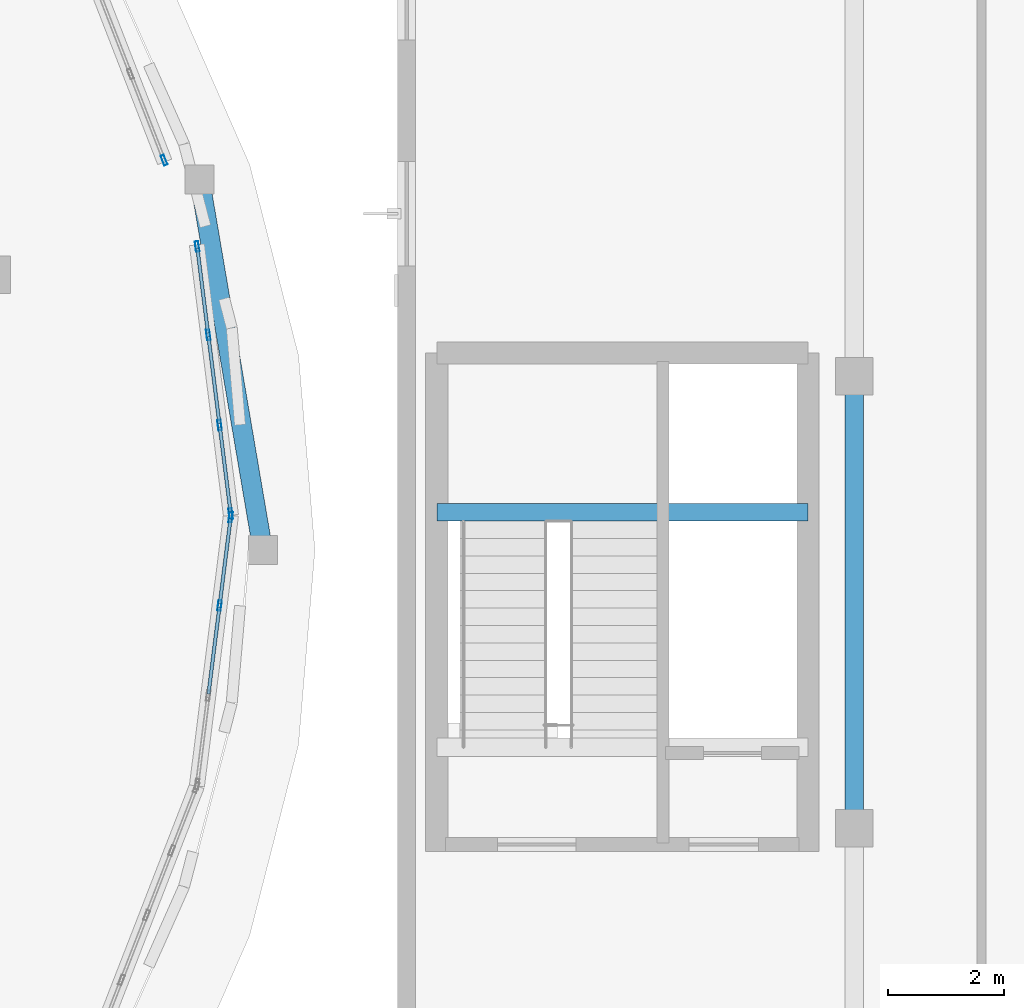
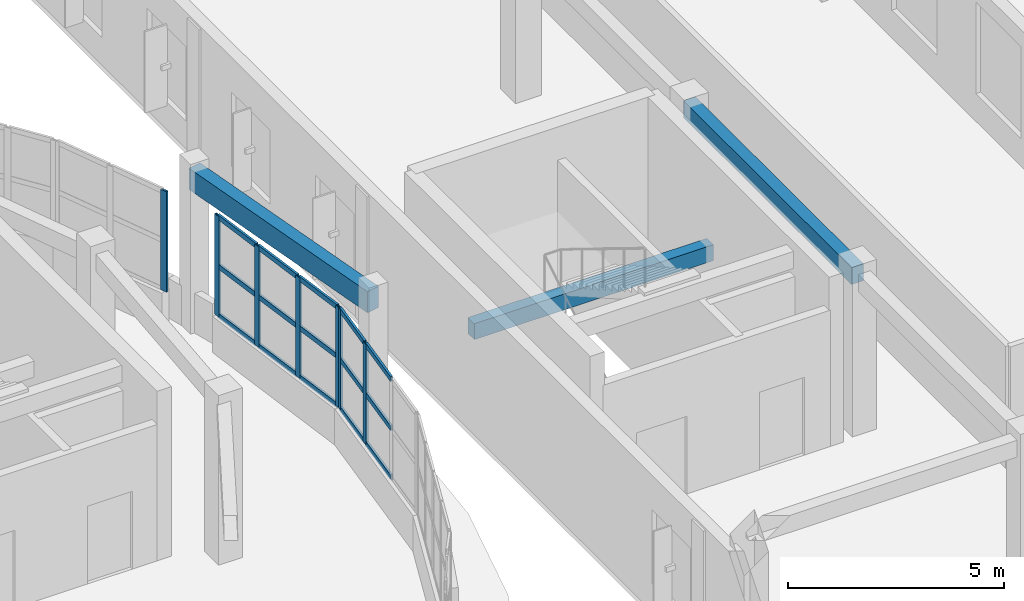
# One storey, part 65 of 105: 22 members, 3 beams, 3 elements without a shape of their own.
"""IFC4 building model written with IfcOpenShell, lengths in metres."""

from ifc_helpers import new_model, si_unit, direction, frame, origin, origin_2d, place, context, subcontext, project, spatial, rectangle, hollow_rectangle, extrude, material, layer, layer_set, material_profile, profile_set, type_object, element, aggregate, save


model = new_model("IFC4")

# Units and contexts
model_context = context("Model", 3, precision=1e-05, world=origin(), true_north=direction((0.0, 1.0)))
body_context = subcontext(model_context, "Body", "Model", "MODEL_VIEW")
ifc_project = project(units=[si_unit("LENGTHUNIT", "METRE"), si_unit("AREAUNIT", "SQUARE_METRE"), si_unit("VOLUMEUNIT", "CUBIC_METRE"), si_unit("PLANEANGLEUNIT", "RADIAN"), si_unit("MASSUNIT", "GRAM", prefix="KILO")], contexts=[model_context])

# Site, building, storey
site_placement = place(None, origin())
site = spatial("IfcSite", under=ifc_project, at=site_placement, CompositionType="ELEMENT")
building_placement = place(site_placement, origin())
building = spatial("IfcBuilding", under=site, at=building_placement, Name="Pelvatis Terrace Science Centre", CompositionType="ELEMENT")
storey_placement = place(building_placement, frame((0.0, 0.0, 10.199951171875)))
storey = spatial("IfcBuildingStorey", under=building, at=storey_placement, Name="L02", CompositionType="ELEMENT", Elevation=10.199951171875)

# Beams
ifc_material_1 = material(Name="Concrete C35/45", Category="concrete")
ifc_material_profile_1 = material_profile(ifc_material_1, rectangle(XDim=0.300048828125, YDim=0.449951171875, at=origin_2d()), Name="RC-BM 300x450")
ifc_profile_set_1 = profile_set([ifc_material_profile_1], Name="Concrete C35/45")
beam_type_1 = type_object("IfcBeamType", Name="BM-RC-300x450", PredefinedType="BEAM", material=ifc_profile_set_1)
beam_1_placement = place(storey_placement, frame((141.0, 83.449951171875, 1.97509765625), z_axis=(1.0, 0.0, 0.0), x_axis=(0.0, 1.0, 0.0)))
element("IfcBeam", 1, at=beam_1_placement, inside=storey, type_object=beam_type_1, Name="Core C3 half-landing beam (L02)", PredefinedType="BEAM", context=body_context, shape_type="SweptSolid", body=[
    extrude(rectangle(XDim=0.300048828125, YDim=0.449951171875, at=origin_2d()), origin(), (0.0, 0.0, 1.0), 6.39990234375),
])
ifc_material_2 = material(Name="Concrete C35/45", Category="concrete")
ifc_material_profile_2 = material_profile(ifc_material_2, rectangle(XDim=0.320068359375, YDim=0.47998046875, at=origin_2d()), Name="RC-BM 320x480")
ifc_profile_set_2 = profile_set([ifc_material_profile_2], Name="Concrete C35/45")
beam_type_2 = type_object("IfcBeamType", Name="BM-RC-320x480", PredefinedType="BEAM", material=ifc_profile_set_2)
beam_2_placement = place(storey_placement, frame((148.199951171875, 78.0, 4.300048828125), z_axis=(0.0, 1.0, 0.0), x_axis=(-1.0, 0.0, 0.0)))
element("IfcBeam", 2, at=beam_2_placement, inside=storey, type_object=beam_type_2, Name="Beam BM-L02-2998", PredefinedType="BEAM", context=body_context, shape_type="SweptSolid", body=[
    extrude(rectangle(XDim=0.320068359375, YDim=0.47998046875, at=origin_2d()), origin(), (0.0, 0.0, 1.0), 7.800048828125),
])

# Curtain wall, members
ifc_material_3 = material(Name="Bronze-anodised aluminium and laminated glass", Category="aluminium")
ifc_layer = layer(ifc_material_3, 0.179931640625)
ifc_layer_set = layer_set([ifc_layer], Name="Bronze-anodised aluminium and laminated glass")
curtain_wall_type = type_object("IfcCurtainWallType", Name="CW-RIBBON-A", PredefinedType="NOTDEFINED", material=ifc_layer_set)
curtain_wall_1_placement = place(storey_placement, origin())
curtain_wall_1 = element("IfcCurtainWall", 3, at=curtain_wall_1_placement, inside=storey, type_object=curtain_wall_type, Name="Ribbon curtain wall CW-154 (L02)", PredefinedType="NOTDEFINED")
ifc_material_4 = material(Name="Bronze-anodised aluminium 6063-T6", Category="aluminium")
ifc_material_profile_3 = material_profile(ifc_material_4, hollow_rectangle(XDim=0.06005859375, YDim=0.179931640625, WallThickness=0.00390625, at=origin_2d()), Name="ALU-MUL 60x180")
ifc_profile_set_3 = profile_set([ifc_material_profile_3], Name="Bronze-anodised aluminium 6063-T6")
member_type_1 = type_object("IfcMemberType", Name="CWM-60x180", PredefinedType="MULLION", material=ifc_profile_set_3)
member_1_placement = place(storey_placement, frame((137.4462890625, 83.4296875, 1.02001953125), z_axis=(0.0, 0.0, 1.0), x_axis=(-0.992192615485, -0.124714930048, 0.0)))
member_1 = element("IfcMember", 4, at=member_1_placement, type_object=member_type_1, Name="CW-154 mullion 1", PredefinedType="MULLION", context=body_context, shape_type="SweptSolid", body=[
    extrude(hollow_rectangle(XDim=0.06005859375, YDim=0.179931640625, WallThickness=0.00390625, at=origin_2d()), origin(), (0.0, 0.0, 1.0), 2.840087890625),
])
member_2_placement = place(storey_placement, frame((137.25439453125, 84.955810546875, 1.02001953125), z_axis=(0.0, 0.0, 1.0), x_axis=(-0.992192615485, -0.124714930048, 0.0)))
member_2 = element("IfcMember", 5, at=member_2_placement, type_object=member_type_1, Name="CW-154 mullion 2", PredefinedType="MULLION", context=body_context, shape_type="SweptSolid", body=[
    extrude(hollow_rectangle(XDim=0.06005859375, YDim=0.179931640625, WallThickness=0.00390625, at=origin_2d()), origin(), (0.0, 0.0, 1.0), 2.840087890625),
])
member_3_placement = place(storey_placement, frame((137.058837890625, 86.51171875, 1.02001953125), z_axis=(0.0, 0.0, 1.0), x_axis=(-0.992192615485, -0.124714930048, 0.0)))
member_3 = element("IfcMember", 6, at=member_3_placement, type_object=member_type_1, Name="CW-154 mullion 3", PredefinedType="MULLION", context=body_context, shape_type="SweptSolid", body=[
    extrude(hollow_rectangle(XDim=0.06005859375, YDim=0.179931640625, WallThickness=0.00390625, at=origin_2d()), origin(), (0.0, 0.0, 1.0), 2.840087890625),
])
member_4_placement = place(storey_placement, frame((136.866943359375, 88.037841796875, 1.02001953125), z_axis=(0.0, 0.0, 1.0), x_axis=(-0.992192615485, -0.124714930048, 0.0)))
member_4 = element("IfcMember", 7, at=member_4_placement, type_object=member_type_1, Name="CW-154 mullion 4", PredefinedType="MULLION", context=body_context, shape_type="SweptSolid", body=[
    extrude(hollow_rectangle(XDim=0.06005859375, YDim=0.179931640625, WallThickness=0.00390625, at=origin_2d()), origin(), (0.0, 0.0, 1.0), 2.840087890625),
])

# Curtain wall, member
curtain_wall_2_placement = place(storey_placement, origin())
curtain_wall_2 = element("IfcCurtainWall", 8, at=curtain_wall_2_placement, inside=storey, type_object=curtain_wall_type, Name="Ribbon curtain wall CW-155 (L02)", PredefinedType="NOTDEFINED")
member_5_placement = place(storey_placement, frame((136.296630859375, 89.525390625, 1.02001953125), z_axis=(0.0, 0.0, 1.0), x_axis=(-0.932095169131, -0.36221346701, 0.0)))
member_5 = element("IfcMember", 9, at=member_5_placement, type_object=member_type_1, Name="CW-155 mullion 1", PredefinedType="MULLION", context=body_context, shape_type="SweptSolid", body=[
    extrude(hollow_rectangle(XDim=0.06005859375, YDim=0.179931640625, WallThickness=0.00390625, at=origin_2d()), origin(), (0.0, 0.0, 1.0), 2.840087890625),
])
aggregate(curtain_wall_2, [member_5])

# Curtain wall, members
curtain_wall_3_placement = place(storey_placement, origin())
curtain_wall_3 = element("IfcCurtainWall", 10, at=curtain_wall_3_placement, inside=storey, type_object=curtain_wall_type, Name="Ribbon curtain wall CW-182 (L02)", PredefinedType="NOTDEFINED")
member_6_placement = place(storey_placement, frame((137.25439453125, 81.84423828125, 1.02001953125), z_axis=(0.0, 0.0, 1.0), x_axis=(-0.992192615485, 0.124714930048, 0.0)))
member_6 = element("IfcMember", 11, at=member_6_placement, type_object=member_type_1, Name="CW-182 mullion 3", PredefinedType="MULLION", context=body_context, shape_type="SweptSolid", body=[
    extrude(hollow_rectangle(XDim=0.06005859375, YDim=0.179931640625, WallThickness=0.00390625, at=origin_2d()), origin(), (0.0, 0.0, 1.0), 2.840087890625),
])
member_7_placement = place(storey_placement, frame((137.4462890625, 83.3701171875, 1.02001953125), z_axis=(0.0, 0.0, 1.0), x_axis=(-0.992192615485, 0.124714930048, 0.0)))
member_7 = element("IfcMember", 12, at=member_7_placement, type_object=member_type_1, Name="CW-182 mullion 4", PredefinedType="MULLION", context=body_context, shape_type="SweptSolid", body=[
    extrude(hollow_rectangle(XDim=0.06005859375, YDim=0.179931640625, WallThickness=0.00390625, at=origin_2d()), origin(), (0.0, 0.0, 1.0), 2.840087890625),
])

# Member
ifc_material_5 = material(Name="Bronze-anodised aluminium 6063-T6", Category="aluminium")
ifc_material_profile_4 = material_profile(ifc_material_5, hollow_rectangle(XDim=0.06005859375, YDim=0.139892578125, WallThickness=0.00390625, at=origin_2d()), Name="ALU-TRN 60x140")
ifc_profile_set_4 = profile_set([ifc_material_profile_4], Name="Bronze-anodised aluminium 6063-T6")
member_type_2 = type_object("IfcMemberType", Name="CWT-60x140", PredefinedType="USERDEFINED", material=ifc_profile_set_4)
member_8_placement = place(storey_placement, frame((137.442626953125, 83.45947265625, 1.050048828125), z_axis=(-0.124868161673, 0.992173342819, 0.0), x_axis=(-0.992173342819, -0.124868161673, 0.0)))
member_8 = element("IfcMember", 13, at=member_8_placement, type_object=member_type_2, Name="CW-154 transom 1.1", ObjectType="TRANSOM", PredefinedType="USERDEFINED", context=body_context, shape_type="SweptSolid", body=[
    extrude(hollow_rectangle(XDim=0.06005859375, YDim=0.139892578125, WallThickness=0.00390625, at=origin_2d()), origin(), (0.0, 0.0, 1.0), 1.47802734375),
])

member_9_placement = place(storey_placement, frame((137.442626953125, 83.45947265625, 2.43994140625), z_axis=(-0.124868161673, 0.992173342819, 0.0), x_axis=(-0.992173342819, -0.124868161673, 0.0)))
member_9 = element("IfcMember", 14, at=member_9_placement, type_object=member_type_2, Name="CW-154 transom 1.2", ObjectType="TRANSOM", PredefinedType="USERDEFINED", context=body_context, shape_type="SweptSolid", body=[
    extrude(hollow_rectangle(XDim=0.06005859375, YDim=0.139892578125, WallThickness=0.00390625, at=origin_2d()), origin(), (0.0, 0.0, 1.0), 1.47802734375),
])

member_10_placement = place(storey_placement, frame((137.442626953125, 83.45947265625, 3.830078125), z_axis=(-0.124868161673, 0.992173342819, 0.0), x_axis=(-0.992173342819, -0.124868161673, 0.0)))
member_10 = element("IfcMember", 15, at=member_10_placement, type_object=member_type_2, Name="CW-154 transom 1.3", ObjectType="TRANSOM", PredefinedType="USERDEFINED", context=body_context, shape_type="SweptSolid", body=[
    extrude(hollow_rectangle(XDim=0.06005859375, YDim=0.139892578125, WallThickness=0.00390625, at=origin_2d()), origin(), (0.0, 0.0, 1.0), 1.47802734375),
])

member_11_placement = place(storey_placement, frame((137.250732421875, 84.985595703125, 1.050048828125), z_axis=(-0.124811734595, 0.992180442716, 0.0), x_axis=(-0.992180442716, -0.124811734595, 0.0)))
member_11 = element("IfcMember", 16, at=member_11_placement, type_object=member_type_2, Name="CW-154 transom 2.1", ObjectType="TRANSOM", PredefinedType="USERDEFINED", context=body_context, shape_type="SweptSolid", body=[
    extrude(hollow_rectangle(XDim=0.06005859375, YDim=0.139892578125, WallThickness=0.00390625, at=origin_2d()), origin(), (0.0, 0.0, 1.0), 1.508056640625),
])

member_12_placement = place(storey_placement, frame((137.250732421875, 84.985595703125, 2.43994140625), z_axis=(-0.124811734595, 0.992180442716, 0.0), x_axis=(-0.992180442716, -0.124811734595, 0.0)))
member_12 = element("IfcMember", 17, at=member_12_placement, type_object=member_type_2, Name="CW-154 transom 2.2", ObjectType="TRANSOM", PredefinedType="USERDEFINED", context=body_context, shape_type="SweptSolid", body=[
    extrude(hollow_rectangle(XDim=0.06005859375, YDim=0.139892578125, WallThickness=0.00390625, at=origin_2d()), origin(), (0.0, 0.0, 1.0), 1.508056640625),
])

member_13_placement = place(storey_placement, frame((137.250732421875, 84.985595703125, 3.830078125), z_axis=(-0.124811734595, 0.992180442716, 0.0), x_axis=(-0.992180442716, -0.124811734595, 0.0)))
member_13 = element("IfcMember", 18, at=member_13_placement, type_object=member_type_2, Name="CW-154 transom 2.3", ObjectType="TRANSOM", PredefinedType="USERDEFINED", context=body_context, shape_type="SweptSolid", body=[
    extrude(hollow_rectangle(XDim=0.06005859375, YDim=0.139892578125, WallThickness=0.00390625, at=origin_2d()), origin(), (0.0, 0.0, 1.0), 1.508056640625),
])

member_14_placement = place(storey_placement, frame((137.05517578125, 86.54150390625, 1.050048828125), z_axis=(-0.124705562452, 0.992193792912, 0.0), x_axis=(-0.992193792912, -0.124705562452, 0.0)))
member_14 = element("IfcMember", 19, at=member_14_placement, type_object=member_type_2, Name="CW-154 transom 3.1", ObjectType="TRANSOM", PredefinedType="USERDEFINED", context=body_context, shape_type="SweptSolid", body=[
    extrude(hollow_rectangle(XDim=0.06005859375, YDim=0.139892578125, WallThickness=0.00390625, at=origin_2d()), origin(), (0.0, 0.0, 1.0), 1.47802734375),
])

member_15_placement = place(storey_placement, frame((137.05517578125, 86.54150390625, 2.43994140625), z_axis=(-0.124705562452, 0.992193792912, 0.0), x_axis=(-0.992193792912, -0.124705562452, 0.0)))
member_15 = element("IfcMember", 20, at=member_15_placement, type_object=member_type_2, Name="CW-154 transom 3.2", ObjectType="TRANSOM", PredefinedType="USERDEFINED", context=body_context, shape_type="SweptSolid", body=[
    extrude(hollow_rectangle(XDim=0.06005859375, YDim=0.139892578125, WallThickness=0.00390625, at=origin_2d()), origin(), (0.0, 0.0, 1.0), 1.47802734375),
])

member_16_placement = place(storey_placement, frame((137.05517578125, 86.54150390625, 3.830078125), z_axis=(-0.124705562452, 0.992193792912, 0.0), x_axis=(-0.992193792912, -0.124705562452, 0.0)))
member_16 = element("IfcMember", 21, at=member_16_placement, type_object=member_type_2, Name="CW-154 transom 3.3", ObjectType="TRANSOM", PredefinedType="USERDEFINED", context=body_context, shape_type="SweptSolid", body=[
    extrude(hollow_rectangle(XDim=0.06005859375, YDim=0.139892578125, WallThickness=0.00390625, at=origin_2d()), origin(), (0.0, 0.0, 1.0), 1.47802734375),
])

aggregate(curtain_wall_1, [member_1, member_2, member_3, member_4, member_8, member_9, member_10, member_11, member_12, member_13, member_14, member_15, member_16])

member_17_placement = place(storey_placement, frame((137.0625, 80.318115234375, 1.050048828125), z_axis=(0.124811734595, 0.992180442716, 0.0), x_axis=(-0.992180442716, 0.124811734595, 0.0)))
member_17 = element("IfcMember", 22, at=member_17_placement, type_object=member_type_2, Name="CW-182 transom 2.1", ObjectType="TRANSOM", PredefinedType="USERDEFINED", context=body_context, shape_type="SweptSolid", body=[
    extrude(hollow_rectangle(XDim=0.06005859375, YDim=0.139892578125, WallThickness=0.00390625, at=origin_2d()), origin(), (0.0, 0.0, 1.0), 1.508056640625),
])

member_18_placement = place(storey_placement, frame((137.0625, 80.318115234375, 2.43994140625), z_axis=(0.124811734595, 0.992180442716, 0.0), x_axis=(-0.992180442716, 0.124811734595, 0.0)))
member_18 = element("IfcMember", 23, at=member_18_placement, type_object=member_type_2, Name="CW-182 transom 2.2", ObjectType="TRANSOM", PredefinedType="USERDEFINED", context=body_context, shape_type="SweptSolid", body=[
    extrude(hollow_rectangle(XDim=0.06005859375, YDim=0.139892578125, WallThickness=0.00390625, at=origin_2d()), origin(), (0.0, 0.0, 1.0), 1.508056640625),
])

member_19_placement = place(storey_placement, frame((137.0625, 80.318115234375, 3.830078125), z_axis=(0.124811734595, 0.992180442716, 0.0), x_axis=(-0.992180442716, 0.124811734595, 0.0)))
member_19 = element("IfcMember", 24, at=member_19_placement, type_object=member_type_2, Name="CW-182 transom 2.3", ObjectType="TRANSOM", PredefinedType="USERDEFINED", context=body_context, shape_type="SweptSolid", body=[
    extrude(hollow_rectangle(XDim=0.06005859375, YDim=0.139892578125, WallThickness=0.00390625, at=origin_2d()), origin(), (0.0, 0.0, 1.0), 1.508056640625),
])

member_20_placement = place(storey_placement, frame((137.258056640625, 81.873779296875, 1.050048828125), z_axis=(0.124847702005, 0.992175917519, 0.0), x_axis=(-0.992175917519, 0.124847702005, 0.0)))
member_20 = element("IfcMember", 25, at=member_20_placement, type_object=member_type_2, Name="CW-182 transom 3.1", ObjectType="TRANSOM", PredefinedType="USERDEFINED", context=body_context, shape_type="SweptSolid", body=[
    extrude(hollow_rectangle(XDim=0.06005859375, YDim=0.139892578125, WallThickness=0.00390625, at=origin_2d()), origin(), (0.0, 0.0, 1.0), 1.478271484375),
])

member_21_placement = place(storey_placement, frame((137.258056640625, 81.873779296875, 2.43994140625), z_axis=(0.124847702005, 0.992175917519, 0.0), x_axis=(-0.992175917519, 0.124847702005, 0.0)))
member_21 = element("IfcMember", 26, at=member_21_placement, type_object=member_type_2, Name="CW-182 transom 3.2", ObjectType="TRANSOM", PredefinedType="USERDEFINED", context=body_context, shape_type="SweptSolid", body=[
    extrude(hollow_rectangle(XDim=0.06005859375, YDim=0.139892578125, WallThickness=0.00390625, at=origin_2d()), origin(), (0.0, 0.0, 1.0), 1.478271484375),
])

member_22_placement = place(storey_placement, frame((137.258056640625, 81.873779296875, 3.830078125), z_axis=(0.124847702005, 0.992175917519, 0.0), x_axis=(-0.992175917519, 0.124847702005, 0.0)))
member_22 = element("IfcMember", 27, at=member_22_placement, type_object=member_type_2, Name="CW-182 transom 3.3", ObjectType="TRANSOM", PredefinedType="USERDEFINED", context=body_context, shape_type="SweptSolid", body=[
    extrude(hollow_rectangle(XDim=0.06005859375, YDim=0.139892578125, WallThickness=0.00390625, at=origin_2d()), origin(), (0.0, 0.0, 1.0), 1.478271484375),
])

aggregate(curtain_wall_3, [member_6, member_7, member_17, member_18, member_19, member_20, member_21, member_22])

# Beam
ifc_material_6 = material(Name="Concrete C35/45", Category="concrete")
ifc_material_profile_5 = material_profile(ifc_material_6, rectangle(XDim=0.340087890625, YDim=0.60009765625, at=origin_2d()), Name="RC-SPN 340x600")
ifc_profile_set_5 = profile_set([ifc_material_profile_5], Name="Concrete C35/45")
beam_type_3 = type_object("IfcBeamType", Name="SPN-RC-340x600", PredefinedType="SPANDREL", material=ifc_profile_set_5)
beam_3_placement = place(storey_placement, frame((138.0, 82.800048828125, 4.239990234375), z_axis=(-0.167955755204, 0.985794534522, 0.0), x_axis=(-0.985794534522, -0.167955755204, 0.0)))
element("IfcBeam", 28, at=beam_3_placement, inside=storey, type_object=beam_type_3, Name="Spandrel SP-L02-2926", PredefinedType="SPANDREL", context=body_context, shape_type="SweptSolid", body=[
    extrude(rectangle(XDim=0.340087890625, YDim=0.60009765625, at=origin_2d()), origin(), (0.0, 0.0, 1.0), 6.4873046875),
])

save(model, "model.ifc")
